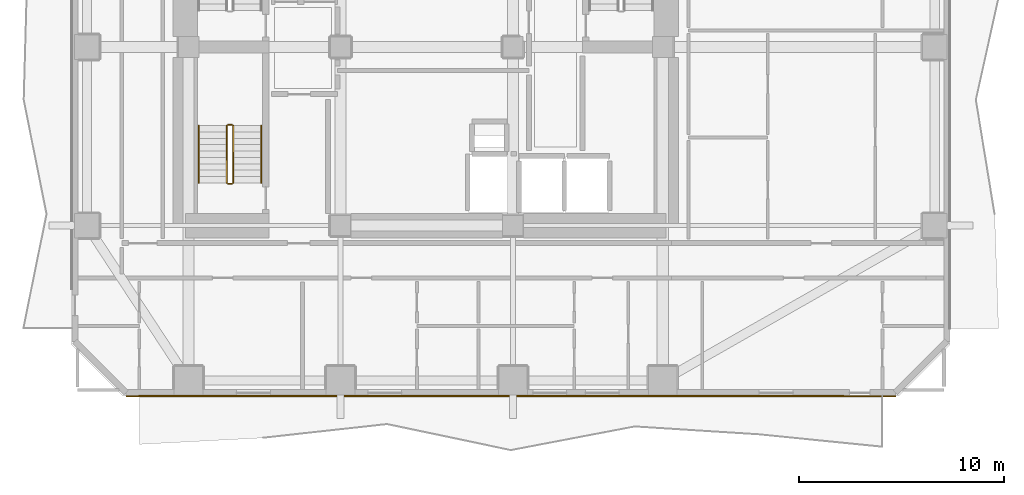
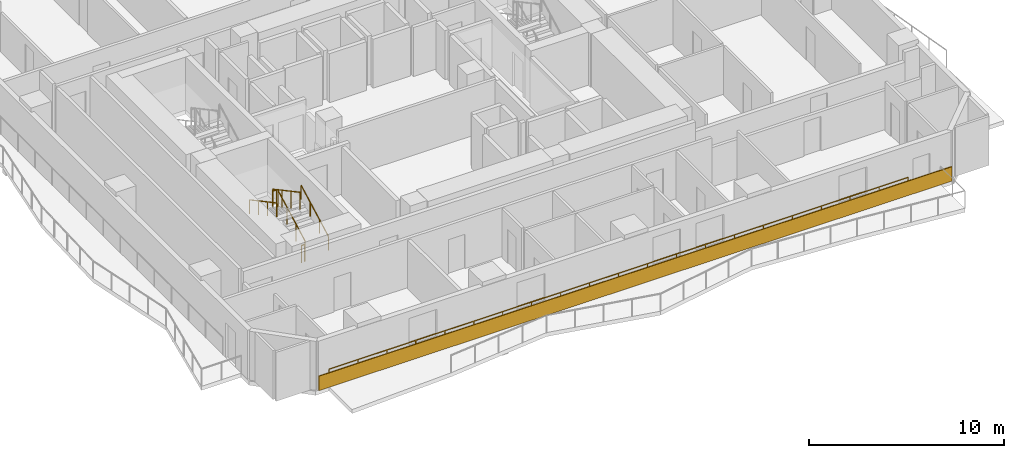
# One storey, part 8 of 11: 7 railings, 1 covering.
"""IFC4 building model written with IfcOpenShell, lengths in metres."""

from ifc_helpers import new_model, si_unit, direction, frame, frame_2d, origin, origin_2d, place, context, subcontext, project, spatial, rectangle, extrude, material, layer, layer_set, type_object, element, save


model = new_model("IFC4")

# Units and contexts
model_context = context("Model", 3, precision=1e-05, world=origin(), true_north=direction((0.0, 1.0)))
body_context = subcontext(model_context, "Body", "Model", "MODEL_VIEW")
ifc_project = project(units=[si_unit("LENGTHUNIT", "METRE"), si_unit("AREAUNIT", "SQUARE_METRE"), si_unit("VOLUMEUNIT", "CUBIC_METRE"), si_unit("PLANEANGLEUNIT", "RADIAN"), si_unit("MASSUNIT", "GRAM", prefix="KILO")], contexts=[model_context])

# Site, building, storey
site_placement = place(None, origin())
site = spatial("IfcSite", under=ifc_project, at=site_placement, CompositionType="ELEMENT")
building_placement = place(site_placement, origin())
building = spatial("IfcBuilding", under=site, at=building_placement, Name="Solanera Arch Residences", CompositionType="ELEMENT")
storey_placement = place(building_placement, frame((0.0, 0.0, 65.159912109375)))
storey = spatial("IfcBuildingStorey", under=building, at=storey_placement, Name="L18", CompositionType="ELEMENT", Elevation=65.159912109375)

# Railing
ifc_material_1 = material(Name="Steel S355 (ASTM A992 / A572 Grade 50)", Category="steel")
railing_type_1 = type_object("IfcRailingType", Name="Balustrade Railing BL-1100", PredefinedType="BALUSTRADE", material=ifc_material_1)
railing_1_placement = place(storey_placement, frame((45.283935546875, 13.719970703125, 0.0)))
element("IfcRailing", 1, at=railing_1_placement, inside=storey, type_object=railing_type_1, Name="L18 S Balcony Balustrade 2", PredefinedType="BALUSTRADE", context=body_context, shape_type="SweptSolid", body=[
    extrude(rectangle(XDim=0.048095703125, YDim=0.048095703125, at=origin_2d()), frame((0.0, 0.0, 1.09619140625), z_axis=(-1.0, 0.0, 0.0), x_axis=(0.0, -1.0, 0.0)), (0.0, 0.0, 1.0), 34.283935546875),
    extrude(rectangle(XDim=0.0419921875, YDim=0.0419921875, at=origin_2d()), origin(), (0.0, 0.0, 1.0), 1.072021484375),
    extrude(rectangle(XDim=0.0419921875, YDim=0.0419921875, at=origin_2d()), frame((-1.714111328125, 0.0, 0.0)), (0.0, 0.0, 1.0), 1.072021484375),
    extrude(rectangle(XDim=0.0419921875, YDim=0.0419921875, at=origin_2d()), frame((-3.428466796875, 0.0, 0.0)), (0.0, 0.0, 1.0), 1.072021484375),
    extrude(rectangle(XDim=0.0419921875, YDim=0.0419921875, at=origin_2d()), frame((-5.142578125, 0.0, 0.0)), (0.0, 0.0, 1.0), 1.072021484375),
    extrude(rectangle(XDim=0.0419921875, YDim=0.0419921875, at=origin_2d()), frame((-6.856689453125, 0.0, 0.0)), (0.0, 0.0, 1.0), 1.072021484375),
    extrude(rectangle(XDim=0.0419921875, YDim=0.0419921875, at=origin_2d()), frame((-8.571044921875, 0.0, 0.0)), (0.0, 0.0, 1.0), 1.072021484375),
    extrude(rectangle(XDim=0.0419921875, YDim=0.0419921875, at=origin_2d()), frame((-10.28515625, 0.0, 0.0)), (0.0, 0.0, 1.0), 1.072021484375),
    extrude(rectangle(XDim=0.0419921875, YDim=0.0419921875, at=origin_2d()), frame((-11.999267578125, 0.0, 0.0)), (0.0, 0.0, 1.0), 1.072021484375),
    extrude(rectangle(XDim=0.0419921875, YDim=0.0419921875, at=origin_2d()), frame((-13.713623046875, 0.0, 0.0)), (0.0, 0.0, 1.0), 1.072021484375),
    extrude(rectangle(XDim=0.0419921875, YDim=0.0419921875, at=origin_2d()), frame((-15.427734375, 0.0, 0.0)), (0.0, 0.0, 1.0), 1.072021484375),
    extrude(rectangle(XDim=0.0419921875, YDim=0.0419921875, at=origin_2d()), frame((-17.14208984375, 0.0, 0.0)), (0.0, 0.0, 1.0), 1.072021484375),
    extrude(rectangle(XDim=0.0419921875, YDim=0.0419921875, at=origin_2d()), frame((-18.856201171875, 0.0, 0.0)), (0.0, 0.0, 1.0), 1.072021484375),
    extrude(rectangle(XDim=0.0419921875, YDim=0.0419921875, at=origin_2d()), frame((-20.5703125, 0.0, 0.0)), (0.0, 0.0, 1.0), 1.072021484375),
    extrude(rectangle(XDim=0.0419921875, YDim=0.0419921875, at=origin_2d()), frame((-22.28466796875, 0.0, 0.0)), (0.0, 0.0, 1.0), 1.072021484375),
    extrude(rectangle(XDim=0.0419921875, YDim=0.0419921875, at=origin_2d()), frame((-23.998779296875, 0.0, 0.0)), (0.0, 0.0, 1.0), 1.072021484375),
    extrude(rectangle(XDim=0.0419921875, YDim=0.0419921875, at=origin_2d()), frame((-25.712890625, 0.0, 0.0)), (0.0, 0.0, 1.0), 1.072021484375),
    extrude(rectangle(XDim=0.0419921875, YDim=0.0419921875, at=origin_2d()), frame((-27.42724609375, 0.0, 0.0)), (0.0, 0.0, 1.0), 1.072021484375),
    extrude(rectangle(XDim=0.0419921875, YDim=0.0419921875, at=origin_2d()), frame((-29.141357421875, 0.0, 0.0)), (0.0, 0.0, 1.0), 1.072021484375),
    extrude(rectangle(XDim=0.0419921875, YDim=0.0419921875, at=origin_2d()), frame((-30.85546875, 0.0, 0.0)), (0.0, 0.0, 1.0), 1.072021484375),
    extrude(rectangle(XDim=0.0419921875, YDim=0.0419921875, at=origin_2d()), frame((-32.56982421875, 0.0, 0.0)), (0.0, 0.0, 1.0), 1.072021484375),
    extrude(rectangle(XDim=0.0419921875, YDim=0.0419921875, at=origin_2d()), frame((-34.283935546875, 0.0, 0.0)), (0.0, 0.0, 1.0), 1.072021484375),
])

# Covering
ifc_material_2 = material(Name="Philippine Adobe Travertine Cladding", Category="masonry")
ifc_layer = layer(ifc_material_2, 0.06005859375)
ifc_layer_set = layer_set([ifc_layer], Name="Philippine Adobe Travertine Cladding")
covering_type = type_object("IfcCoveringType", Name="Precast Pier Stone Cladding CLD-60", PredefinedType="CLADDING", material=ifc_layer_set)
covering_placement = place(storey_placement, frame((47.8349609375, 13.68505859375, 0.0), z_axis=(0.0, 0.0, 1.0), x_axis=(-1.0, 0.0, 0.0)))
element("IfcCovering", 2, at=covering_placement, inside=storey, type_object=covering_type, Name="L18 S Precast Spandrel Stone Band", PredefinedType="CLADDING", context=body_context, shape_type="SweptSolid", body=[
    extrude(rectangle(XDim=37.469970703125, YDim=0.06005859375, at=frame_2d((18.73486328125, 0.0))), origin(), (0.0, 0.0, 1.0), 0.900146484375),
])

# Railings
ifc_material_3 = material(Name="Steel S355 (ASTM A992 / A572 Grade 50)", Category="steel")
railing_type_2 = type_object("IfcRailingType", Name="Stair Guardrail GR-1100", PredefinedType="GUARDRAIL", material=ifc_material_3)
railing_2_placement = place(storey_placement, frame((15.570068359375, 24.080078125, 0.151123046875)))
element("IfcRailing", 3, at=railing_2_placement, inside=storey, type_object=railing_type_2, Name="L18 ST-T3 stair guard 1", PredefinedType="GUARDRAIL", context=body_context, shape_type="SweptSolid", body=[
    extrude(rectangle(XDim=0.048095703125, YDim=0.048095703125, at=origin_2d()), frame((0.0, 0.0, 1.076171875), z_axis=(0.0, 0.881580869306, 0.472033018838), x_axis=(-1.0, 0.0, 0.0)), (0.0, 0.0, 1.0), 3.164794921875),
    extrude(rectangle(XDim=0.0419921875, YDim=0.0419921875, at=origin_2d()), origin(), (0.0, 0.0, 1.0), 1.052001953125),
    extrude(rectangle(XDim=0.0419921875, YDim=0.0419921875, at=origin_2d()), frame((0.0, 0.929931640625, 0.498046875)), (0.0, 0.0, 1.0), 1.052001953125),
    extrude(rectangle(XDim=0.0419921875, YDim=0.0419921875, at=origin_2d()), frame((0.0, 1.860107421875, 0.995849609375)), (0.0, 0.0, 1.0), 1.052001953125),
    extrude(rectangle(XDim=0.0419921875, YDim=0.0419921875, at=origin_2d()), frame((0.0, 2.7900390625, 1.493896484375)), (0.0, 0.0, 1.0), 1.052001953125),
])
railing_3_placement = place(storey_placement, frame((15.52001953125, 26.919921875, 1.64501953125)))
element("IfcRailing", 4, at=railing_3_placement, inside=storey, type_object=railing_type_2, Name="L18 ST-T3 stair guard 2", PredefinedType="GUARDRAIL", context=body_context, shape_type="SweptSolid", body=[
    extrude(rectangle(XDim=0.048095703125, YDim=0.048095703125, at=origin_2d()), frame((0.0, 0.0, 1.076171875), z_axis=(-1.0, 0.0, 0.0), x_axis=(0.0, -1.0, 0.0)), (0.0, 0.0, 1.0), 0.199951171875),
    extrude(rectangle(XDim=0.0419921875, YDim=0.0419921875, at=origin_2d()), origin(), (0.0, 0.0, 1.0), 1.052001953125),
    extrude(rectangle(XDim=0.0419921875, YDim=0.0419921875, at=origin_2d()), frame((-0.199951171875, 0.0, 0.0)), (0.0, 0.0, 1.0), 1.052001953125),
])
railing_4_placement = place(storey_placement, frame((15.27001953125, 26.8701171875, 1.81103515625)))
element("IfcRailing", 5, at=railing_4_placement, inside=storey, type_object=railing_type_2, Name="L18 ST-T3 stair guard 3", PredefinedType="GUARDRAIL", context=body_context, shape_type="SweptSolid", body=[
    extrude(rectangle(XDim=0.048095703125, YDim=0.048095703125, at=origin_2d()), frame((0.0, 0.0, 1.076171875), z_axis=(0.0, -0.881548766853, 0.472092969298), x_axis=(1.0, 0.0, 0.0)), (0.0, 0.0, 1.0), 3.1650390625),
    extrude(rectangle(XDim=0.0419921875, YDim=0.0419921875, at=origin_2d()), origin(), (0.0, 0.0, 1.0), 1.052001953125),
    extrude(rectangle(XDim=0.0419921875, YDim=0.0419921875, at=origin_2d()), frame((0.0, -0.929931640625, 0.498046875)), (0.0, 0.0, 1.0), 1.052001953125),
    extrude(rectangle(XDim=0.0419921875, YDim=0.0419921875, at=origin_2d()), frame((0.0, -1.860107421875, 0.99609375)), (0.0, 0.0, 1.0), 1.052001953125),
    extrude(rectangle(XDim=0.0419921875, YDim=0.0419921875, at=origin_2d()), frame((0.0, -2.7900390625, 1.494140625)), (0.0, 0.0, 1.0), 1.052001953125),
])
railing_5_placement = place(storey_placement, frame((15.52001953125, 24.030029296875, -0.014892578125)))
element("IfcRailing", 6, at=railing_5_placement, inside=storey, type_object=railing_type_2, Name="L18 ST-T3 stair guard 4", PredefinedType="GUARDRAIL", context=body_context, shape_type="SweptSolid", body=[
    extrude(rectangle(XDim=0.048095703125, YDim=0.048095703125, at=origin_2d()), frame((0.0, 0.0, 1.076171875), z_axis=(-1.0, 0.0, 0.0), x_axis=(0.0, -1.0, 0.0)), (0.0, 0.0, 1.0), 0.199951171875),
    extrude(rectangle(XDim=0.0419921875, YDim=0.0419921875, at=origin_2d()), origin(), (0.0, 0.0, 1.0), 1.052001953125),
    extrude(rectangle(XDim=0.0419921875, YDim=0.0419921875, at=origin_2d()), frame((-0.199951171875, 0.0, 0.0)), (0.0, 0.0, 1.0), 1.052001953125),
])
ifc_material_4 = material(Name="Steel S355 (ASTM A992 / A572 Grade 50)", Category="steel")
railing_type_3 = type_object("IfcRailingType", Name="Stair Wall Handrail HR-920", PredefinedType="HANDRAIL", material=ifc_material_4)
railing_6_placement = place(storey_placement, frame((16.949951171875, 24.080078125, 0.166015625)))
element("IfcRailing", 7, at=railing_6_placement, inside=storey, type_object=railing_type_3, Name="L18 ST-T3 stair handrail 1", PredefinedType="HANDRAIL", context=body_context, shape_type="SweptSolid", body=[
    extrude(rectangle(XDim=0.048095703125, YDim=0.048095703125, at=origin_2d()), frame((0.0, 0.0, 0.8759765625), z_axis=(0.0, 0.881548766853, 0.472092969298), x_axis=(-1.0, 0.0, 0.0)), (0.0, 0.0, 1.0), 3.1650390625),
    extrude(rectangle(XDim=0.0419921875, YDim=0.0419921875, at=origin_2d()), origin(), (0.0, 0.0, 1.0), 0.851806640625),
    extrude(rectangle(XDim=0.0419921875, YDim=0.0419921875, at=origin_2d()), frame((0.0, 0.929931640625, 0.498046875)), (0.0, 0.0, 1.0), 0.851806640625),
    extrude(rectangle(XDim=0.0419921875, YDim=0.0419921875, at=origin_2d()), frame((0.0, 1.860107421875, 0.99609375)), (0.0, 0.0, 1.0), 0.851806640625),
    extrude(rectangle(XDim=0.0419921875, YDim=0.0419921875, at=origin_2d()), frame((0.0, 2.7900390625, 1.494140625)), (0.0, 0.0, 1.0), 0.851806640625),
])
railing_7_placement = place(storey_placement, frame((13.889892578125, 26.8701171875, 1.826171875)))
element("IfcRailing", 8, at=railing_7_placement, inside=storey, type_object=railing_type_3, Name="L18 ST-T3 stair handrail 2", PredefinedType="HANDRAIL", context=body_context, shape_type="SweptSolid", body=[
    extrude(rectangle(XDim=0.048095703125, YDim=0.048095703125, at=origin_2d()), frame((0.0, 0.0, 0.8759765625), z_axis=(0.0, -0.881580869306, 0.472033018838), x_axis=(1.0, 0.0, 0.0)), (0.0, 0.0, 1.0), 3.164794921875),
    extrude(rectangle(XDim=0.0419921875, YDim=0.0419921875, at=origin_2d()), origin(), (0.0, 0.0, 1.0), 0.851806640625),
    extrude(rectangle(XDim=0.0419921875, YDim=0.0419921875, at=origin_2d()), frame((0.0, -0.929931640625, 0.498046875)), (0.0, 0.0, 1.0), 0.851806640625),
    extrude(rectangle(XDim=0.0419921875, YDim=0.0419921875, at=origin_2d()), frame((0.0, -1.860107421875, 0.995849609375)), (0.0, 0.0, 1.0), 0.851806640625),
    extrude(rectangle(XDim=0.0419921875, YDim=0.0419921875, at=origin_2d()), frame((0.0, -2.7900390625, 1.493896484375)), (0.0, 0.0, 1.0), 0.851806640625),
])

save(model, "model.ifc")
